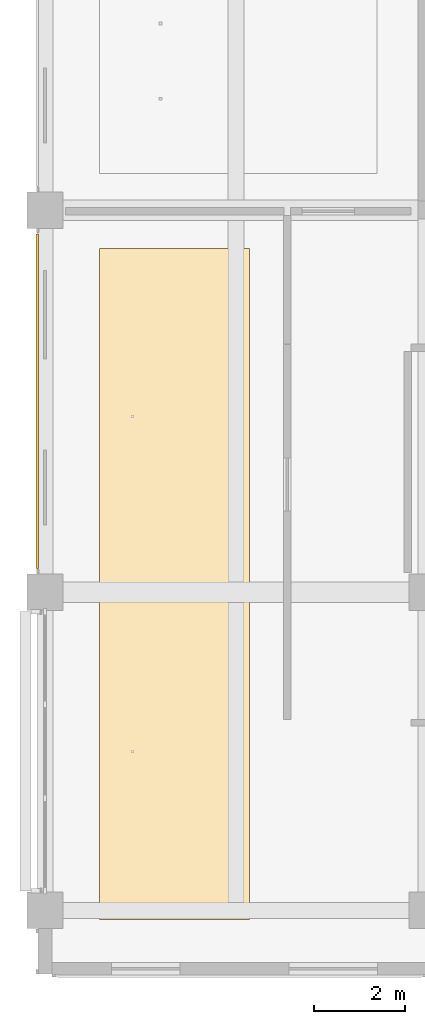
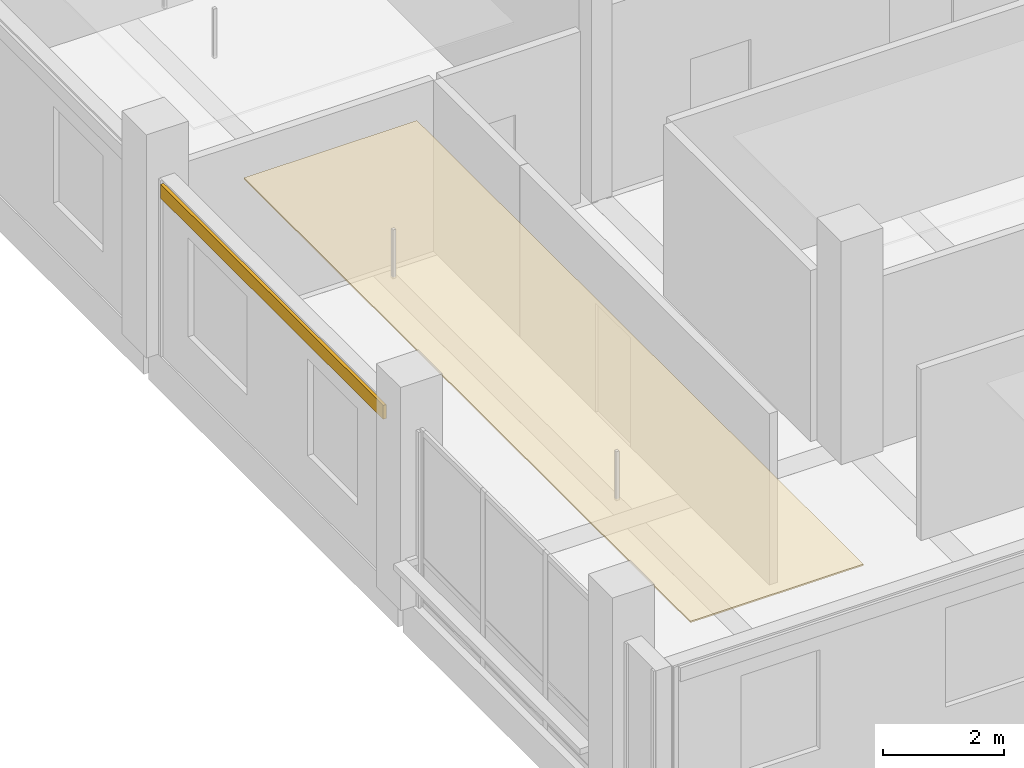
# One storey, part 23 of 34: 2 coverings.
"""IFC4 building model written with IfcOpenShell, lengths in metres."""

from ifc_helpers import new_model, si_unit, direction, frame, origin, origin_2d, place, context, subcontext, project, spatial, polyline, rectangle, outline, extrude, material, layer, layer_set, type_object, element, save


model = new_model("IFC4")

# Units and contexts
model_context = context("Model", 3, precision=1e-05, world=origin(), true_north=direction((0.0, 1.0)))
body_context = subcontext(model_context, "Body", "Model", "MODEL_VIEW")
ifc_project = project(units=[si_unit("LENGTHUNIT", "METRE"), si_unit("AREAUNIT", "SQUARE_METRE"), si_unit("VOLUMEUNIT", "CUBIC_METRE"), si_unit("PLANEANGLEUNIT", "RADIAN"), si_unit("MASSUNIT", "GRAM", prefix="KILO")], contexts=[model_context])

# Site, building, storey
site_placement = place(None, origin())
site = spatial("IfcSite", under=ifc_project, at=site_placement, CompositionType="ELEMENT")
building_placement = place(site_placement, origin())
building = spatial("IfcBuilding", under=site, at=building_placement, Name="Telukmera Botanical Conservatory", CompositionType="ELEMENT")
storey_placement = place(building_placement, frame((0.0, 0.0, 37.5)))
storey = spatial("IfcBuildingStorey", under=building, at=storey_placement, Name="L08", CompositionType="ELEMENT", Elevation=37.5)

# Coverings
ifc_material_1 = material(Name="Mineral fibre acoustic ceiling")
ifc_layer_1 = layer(ifc_material_1, 0.030029296875)
ifc_layer_set_1 = layer_set([ifc_layer_1], Name="Mineral fibre acoustic ceiling")
covering_type_1 = type_object("IfcCoveringType", Name="COV-CEIL-30", PredefinedType="CEILING", material=ifc_layer_set_1)
covering_1_placement = place(storey_placement, frame((0.0, 0.0, 3.320068359375)))
element("IfcCovering", 1, at=covering_1_placement, inside=storey, type_object=covering_type_1, Name="L08 West Botanical Assay Laboratory Suspended Acoustic Ceiling", PredefinedType="CEILING", context=body_context, shape_type="SweptSolid", body=[
    extrude(outline(polyline([(51.60009765625, 10.39990234375), (54.89990234375, 10.39990234375), (54.89990234375, 25.14990234375), (51.60009765625, 25.14990234375), (51.60009765625, 10.39990234375)])), origin(), (0.0, 0.0, 1.0), 0.030029296875),
])
ifc_material_2 = material(Name="Terracotta-faced precast concrete C40/50", Category="masonry")
ifc_layer_2 = layer(ifc_material_2, 0.06005859375)
ifc_layer_set_2 = layer_set([ifc_layer_2], Name="Terracotta-faced precast concrete C40/50")
covering_type_2 = type_object("IfcCoveringType", Name="Polychrome Terracotta Facade Band Cladding", PredefinedType="CLADDING", material=ifc_layer_set_2)
covering_2_placement = place(storey_placement, frame((50.22998046875, 21.800048828125, 3.22998046875), z_axis=(0.0, 0.0, 1.0), x_axis=(0.0, 1.0, 0.0)))
element("IfcCovering", 2, at=covering_2_placement, inside=storey, type_object=covering_type_2, Name="Polychrome Terracotta Band V4:L08:W2", PredefinedType="CLADDING", context=body_context, shape_type="SweptSolid", body=[
    extrude(rectangle(XDim=7.35595703125, YDim=0.06005859375, at=origin_2d()), origin(), (0.0, 0.0, 1.0), 0.280029296875),
])

save(model, "model.ifc")
